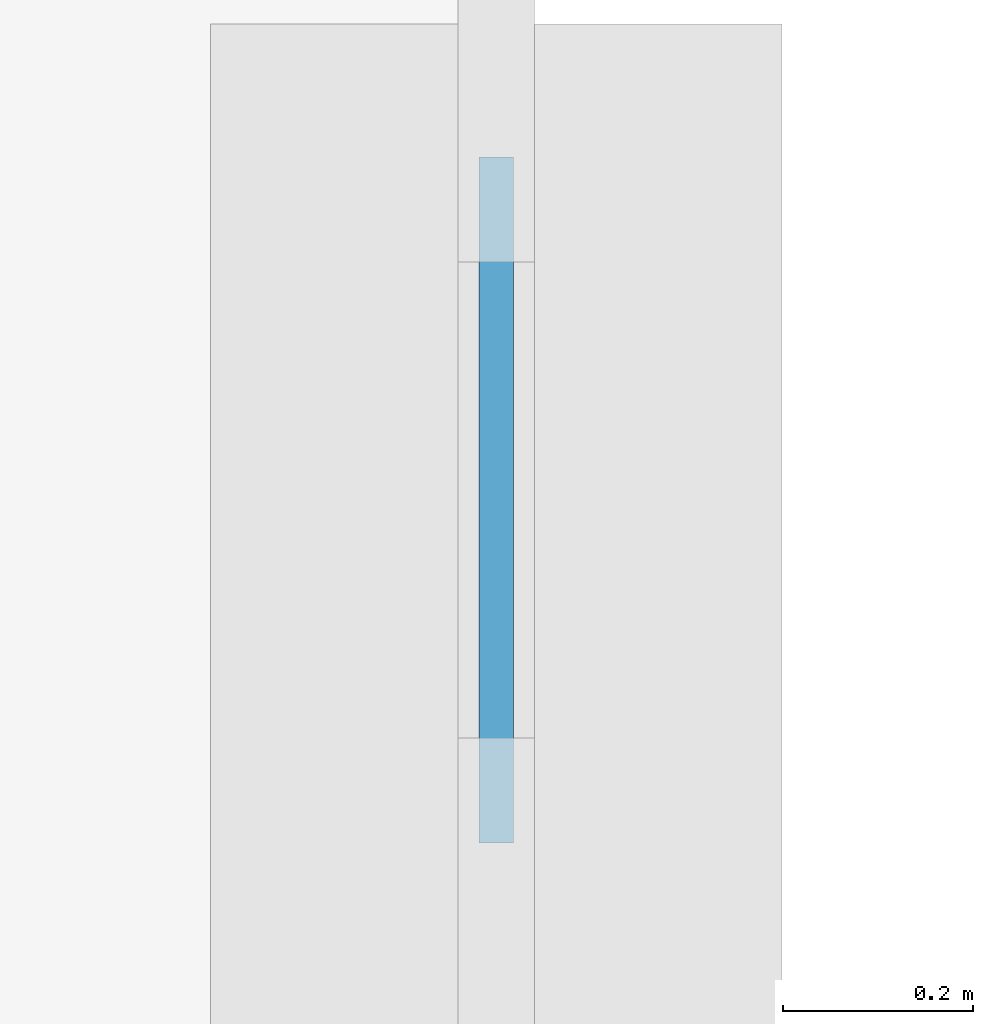
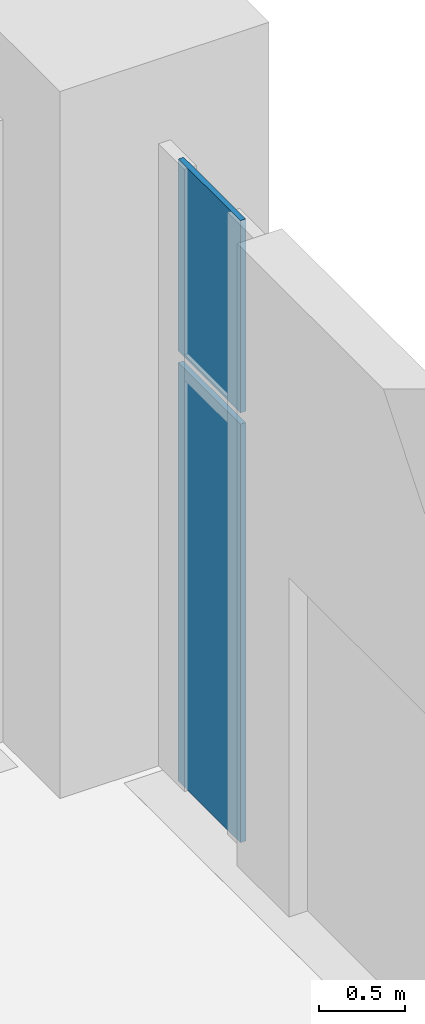
# One storey, part 14 of 33: 2 plates, 1 element without a shape of its own.
"""IFC4 building model written with IfcOpenShell, lengths in metres."""

from ifc_helpers import new_model, si_unit, direction, frame, origin, origin_2d, place, context, subcontext, project, spatial, rectangle, extrude, material, layer, layer_set, type_object, element, aggregate, save


model = new_model("IFC4")

# Units and contexts
model_context = context("Model", 3, precision=1e-05, world=origin(), true_north=direction((0.0, 1.0)))
body_context = subcontext(model_context, "Body", "Model", "MODEL_VIEW")
ifc_project = project(units=[si_unit("LENGTHUNIT", "METRE"), si_unit("AREAUNIT", "SQUARE_METRE"), si_unit("VOLUMEUNIT", "CUBIC_METRE"), si_unit("PLANEANGLEUNIT", "RADIAN"), si_unit("MASSUNIT", "GRAM", prefix="KILO")], contexts=[model_context])

# Site, building, storey
site_placement = place(None, origin())
site = spatial("IfcSite", under=ifc_project, at=site_placement, CompositionType="ELEMENT")
building_placement = place(site_placement, origin())
building = spatial("IfcBuilding", under=site, at=building_placement, Name="Candeia Pilgrim Tower and Theatre", CompositionType="ELEMENT")
storey_placement = place(building_placement, frame((0.0, 0.0, 29.0)))
storey = spatial("IfcBuildingStorey", under=building, at=storey_placement, Name="L04", CompositionType="ELEMENT", Elevation=29.0)

# Curtain wall, plates
ifc_material_1 = material(Name="Aluminium framed podium glazing", Category="aluminium")
curtain_wall_type = type_object("IfcCurtainWallType", Name="CW-P curtain wall", PredefinedType="NOTDEFINED", material=ifc_material_1)
curtain_wall_placement = place(storey_placement, origin())
curtain_wall = element("IfcCurtainWall", 1, at=curtain_wall_placement, inside=storey, type_object=curtain_wall_type, Name="Curtain wall CW-P L04.200", PredefinedType="NOTDEFINED")
ifc_material_2 = material(Name="Laminated low-iron glass 2 x 8 mm", Category="glass")
ifc_layer = layer(ifc_material_2, 0.035888671875)
ifc_layer_set = layer_set([ifc_layer], Name="CW-P glass panel 36")
plate_type = type_object("IfcPlateType", Name="CW-P glass panel 36", PredefinedType="CURTAIN_PANEL", material=ifc_layer_set)
plate_1_placement = place(storey_placement, frame((159.60009765625, 143.550048828125, 0.0), z_axis=(0.0, 0.0, 1.0), x_axis=(0.0, -1.0, 0.0)))
plate_1 = element("IfcPlate", 2, at=plate_1_placement, type_object=plate_type, Name="CW-P panel 1.1", PredefinedType="CURTAIN_PANEL", context=body_context, shape_type="SweptSolid", body=[
    extrude(rectangle(XDim=0.719970703125, YDim=0.035888671875, at=origin_2d()), origin(), (0.0, 0.0, 1.0), 2.9599609375),
])
plate_2_placement = place(storey_placement, frame((159.60009765625, 143.550048828125, 3.0400390625), z_axis=(0.0, 0.0, 1.0), x_axis=(0.0, -1.0, 0.0)))
plate_2 = element("IfcPlate", 3, at=plate_2_placement, type_object=plate_type, Name="CW-P panel 1.2", PredefinedType="CURTAIN_PANEL", context=body_context, shape_type="SweptSolid", body=[
    extrude(rectangle(XDim=0.719970703125, YDim=0.035888671875, at=origin_2d()), origin(), (0.0, 0.0, 1.0), 1.360107421875),
])
aggregate(curtain_wall, [plate_1, plate_2])

save(model, "model.ifc")
